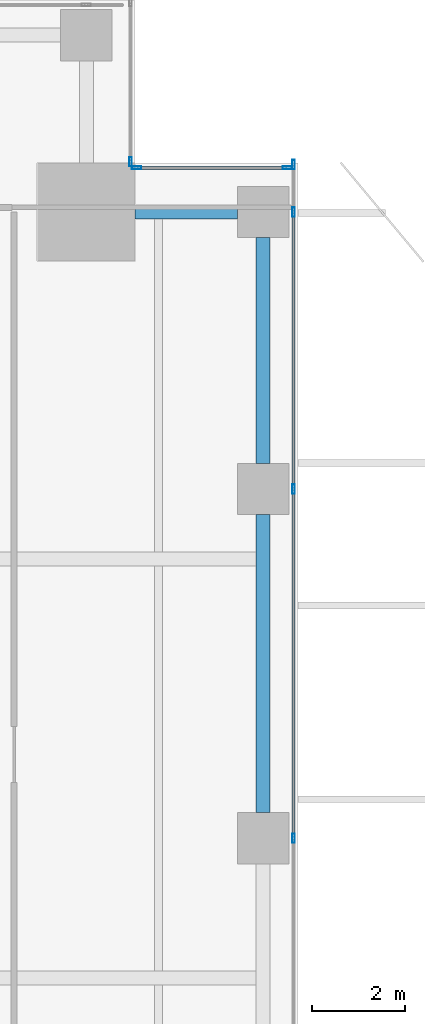
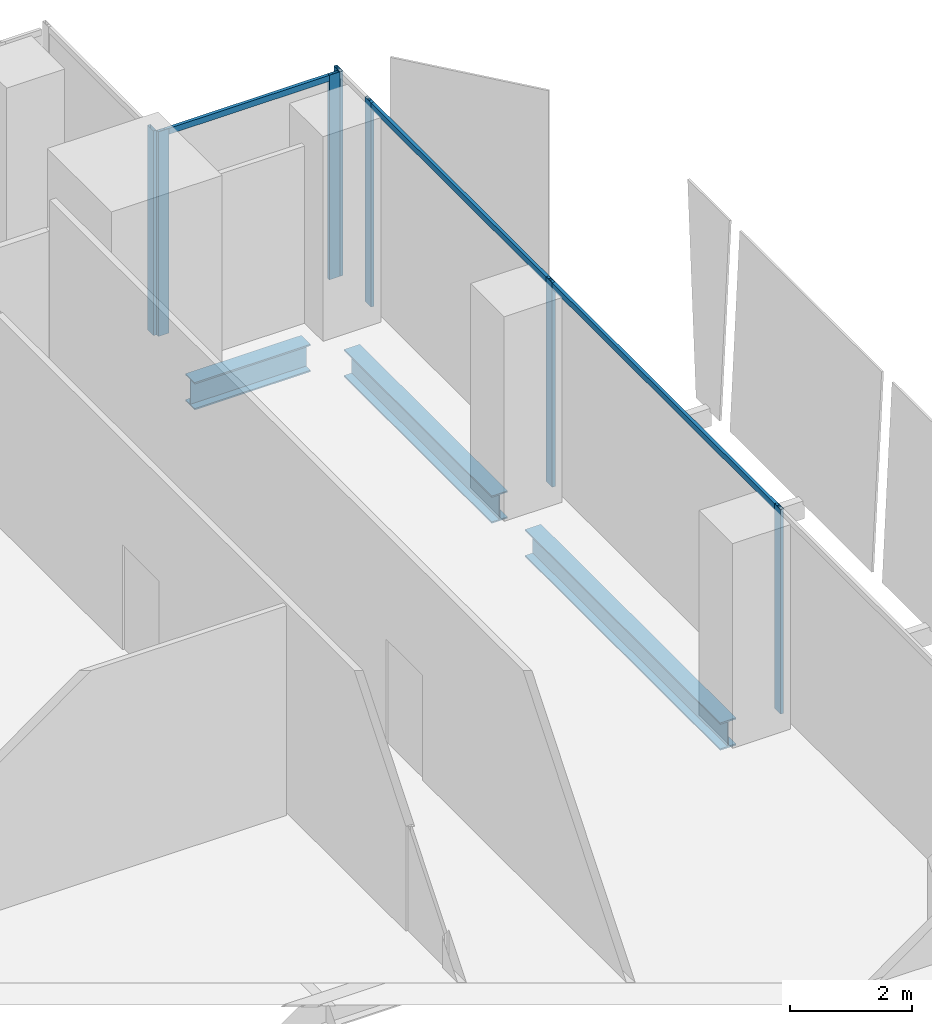
# One storey, part 19 of 33: 10 members, 3 beams, 3 elements without a shape of their own.
"""IFC4 building model written with IfcOpenShell, lengths in metres."""

from ifc_helpers import new_model, si_unit, direction, frame, origin, origin_2d, place, context, subcontext, project, spatial, hollow_rectangle, i_section, extrude, source, transform, mapped, material, material_profile, profile_set, type_object, element, aggregate, save


model = new_model("IFC4")

# Units and contexts
model_context = context("Model", 3, precision=1e-05, world=origin(), true_north=direction((0.0, 1.0)))
body_context = subcontext(model_context, "Body", "Model", "MODEL_VIEW")
ifc_project = project(units=[si_unit("LENGTHUNIT", "METRE"), si_unit("AREAUNIT", "SQUARE_METRE"), si_unit("VOLUMEUNIT", "CUBIC_METRE"), si_unit("PLANEANGLEUNIT", "RADIAN"), si_unit("MASSUNIT", "GRAM", prefix="KILO")], contexts=[model_context])

# Site, building, storey
site_placement = place(None, origin())
site = spatial("IfcSite", under=ifc_project, at=site_placement, CompositionType="ELEMENT")
building_placement = place(site_placement, origin())
building = spatial("IfcBuilding", under=site, at=building_placement, Name="Khomas Fold Tower", CompositionType="ELEMENT")
storey_placement = place(building_placement, frame((0.0, 0.0, 149.89990234375)))
storey = spatial("IfcBuildingStorey", under=building, at=storey_placement, Name="L32", CompositionType="ELEMENT", Elevation=149.89990234375)

# Beams
ifc_material_1 = material(Name="Steel S355", Category="steel")
ifc_material_profile_1 = material_profile(ifc_material_1, i_section(OverallWidth=0.300048828125, OverallDepth=0.550048828125, WebThickness=0.014892578125, FlangeThickness=0.029052734375, at=origin_2d()), Name="HE 550 B")
ifc_profile_set_1 = profile_set([ifc_material_profile_1], Name="Steel S355")
beam_type = type_object("IfcBeamType", Name="HE 550 B spandrel SB2", PredefinedType="SPANDREL", material=ifc_profile_set_1)
shared_shape_1 = source(origin(), body_context, "Body", "SweptSolid", [
    extrude(i_section(OverallWidth=0.300048828125, OverallDepth=0.550048828125, WebThickness=0.014892578125, FlangeThickness=0.029052734375, at=origin_2d()), origin(), (0.0, 0.0, 1.0), 4.849853515625),
])
beam_1_placement = place(storey_placement, frame((51.75, 42.550048828125, -0.574951171875), z_axis=(0.0, 1.0, 0.0), x_axis=(-1.0, 0.0, 0.0)))
element("IfcBeam", 1, at=beam_1_placement, inside=storey, type_object=beam_type, Name="SB2", PredefinedType="SPANDREL", context=body_context, shape_type="MappedRepresentation", body=[
    mapped(shared_shape_1, transform((0.0, 0.0, 0.0))),
])
shared_shape_2 = source(origin(), body_context, "Body", "SweptSolid", [
    extrude(i_section(OverallWidth=0.300048828125, OverallDepth=0.550048828125, WebThickness=0.014892578125, FlangeThickness=0.029052734375, at=origin_2d()), origin(), (0.0, 0.0, 1.0), 6.39990234375),
])
beam_2_placement = place(storey_placement, frame((51.75, 35.050048828125, -0.574951171875), z_axis=(0.0, 1.0, 0.0), x_axis=(-1.0, 0.0, 0.0)))
element("IfcBeam", 2, at=beam_2_placement, inside=storey, type_object=beam_type, Name="SB2", PredefinedType="SPANDREL", context=body_context, shape_type="MappedRepresentation", body=[
    mapped(shared_shape_2, transform((0.0, 0.0, 0.0))),
])
shared_shape_3 = source(origin(), body_context, "Body", "SweptSolid", [
    extrude(i_section(OverallWidth=0.300048828125, OverallDepth=0.550048828125, WebThickness=0.014892578125, FlangeThickness=0.029052734375, at=origin_2d()), origin(), (0.0, 0.0, 1.0), 2.199951171875),
])
beam_3_placement = place(storey_placement, frame((49.0, 47.949951171875, -0.574951171875), z_axis=(1.0, 0.0, 0.0), x_axis=(0.0, 1.0, 0.0)))
element("IfcBeam", 3, at=beam_3_placement, inside=storey, type_object=beam_type, Name="SB2", PredefinedType="SPANDREL", context=body_context, shape_type="MappedRepresentation", body=[
    mapped(shared_shape_3, transform((0.0, 0.0, 0.0))),
])

# Curtain wall, members
ifc_material_2 = material(Name="Aluminium framed double glazing", Category="aluminium")
curtain_wall_type = type_object("IfcCurtainWallType", Name="SK-Unitised clear-glass wall, growing floors CW1", PredefinedType="NOTDEFINED", material=ifc_material_2)
curtain_wall_1_placement = place(storey_placement, origin())
curtain_wall_1 = element("IfcCurtainWall", 4, at=curtain_wall_1_placement, inside=storey, type_object=curtain_wall_type, Name="CW1 run L32 03-0", PredefinedType="NOTDEFINED")
ifc_material_3 = material(Name="Aluminium", Category="aluminium")
ifc_material_profile_2 = material_profile(ifc_material_3, hollow_rectangle(XDim=0.06005859375, YDim=0.1201171875, WallThickness=0.00390625, at=origin_2d()), Name="SK-Unitised clear-glass wall, growing floors transom CW1-T")
ifc_profile_set_2 = profile_set([ifc_material_profile_2], Name="Aluminium")
member_type_1 = type_object("IfcMemberType", Name="SK-Unitised clear-glass wall, growing floors transom CW1-T", PredefinedType="USERDEFINED", material=ifc_profile_set_2)
shared_shape_4 = source(origin(), body_context, "Body", "SweptSolid", [
    extrude(hollow_rectangle(XDim=0.06005859375, YDim=0.1201171875, WallThickness=0.00390625, at=origin_2d()), origin(), (0.0, 0.0, 1.0), 7.43994140625),
])
member_1_placement = place(storey_placement, frame((52.39990234375, 34.530029296875, 4.0400390625), z_axis=(0.0, 1.0, 0.0), x_axis=(-1.0, 0.0, 0.0)))
member_1 = element("IfcMember", 5, at=member_1_placement, type_object=member_type_1, Name="CW1 transom 6", ObjectType="TRANSOM", PredefinedType="USERDEFINED", context=body_context, shape_type="MappedRepresentation", body=[
    mapped(shared_shape_4, transform((0.0, 0.0, 0.0))),
])
ifc_material_4 = material(Name="Aluminium", Category="aluminium")
ifc_material_profile_3 = material_profile(ifc_material_4, hollow_rectangle(XDim=0.06005859375, YDim=0.199951171875, WallThickness=0.00390625, at=origin_2d()), Name="SK-Unitised clear-glass wall, growing floors mullion CW1-M")
ifc_profile_set_3 = profile_set([ifc_material_profile_3], Name="Aluminium")
member_type_2 = type_object("IfcMemberType", Name="SK-Unitised clear-glass wall, growing floors mullion CW1-M", PredefinedType="MULLION", material=ifc_profile_set_3)
shared_shape_5 = source(origin(), body_context, "Body", "SweptSolid", [
    extrude(hollow_rectangle(XDim=0.06005859375, YDim=0.199951171875, WallThickness=0.00390625, at=origin_2d()), origin(), (0.0, 0.0, 1.0), 4.10009765625),
])
member_2_placement = place(storey_placement, frame((52.39990234375, 34.5, 0.0), z_axis=(0.0, 0.0, 1.0), x_axis=(-1.0, 0.0, 0.0)))
member_2 = element("IfcMember", 6, at=member_2_placement, type_object=member_type_2, Name="CW1 mullion 6", PredefinedType="MULLION", context=body_context, shape_type="MappedRepresentation", body=[
    mapped(shared_shape_5, transform((0.0, 0.0, 0.0))),
])
member_3_placement = place(storey_placement, frame((52.39990234375, 42.0, 0.0), z_axis=(0.0, 0.0, 1.0), x_axis=(-1.0, 0.0, 0.0)))
member_3 = element("IfcMember", 7, at=member_3_placement, type_object=member_type_2, Name="CW1 mullion 7", PredefinedType="MULLION", context=body_context, shape_type="MappedRepresentation", body=[
    mapped(shared_shape_5, transform((0.0, 0.0, 0.0))),
])
member_4_placement = place(storey_placement, frame((52.39990234375, 47.949951171875, 0.0), z_axis=(0.0, 0.0, 1.0), x_axis=(-1.0, 0.0, 0.0)))
member_4 = element("IfcMember", 8, at=member_4_placement, type_object=member_type_2, Name="CW1 mullion 8", PredefinedType="MULLION", context=body_context, shape_type="MappedRepresentation", body=[
    mapped(shared_shape_5, transform((0.0, 0.0, 0.0))),
])
member_5_placement = place(storey_placement, frame((52.39990234375, 48.969970703125, 0.0), z_axis=(0.0, 0.0, 1.0), x_axis=(-1.0, 0.0, 0.0)))
member_5 = element("IfcMember", 9, at=member_5_placement, type_object=member_type_2, Name="CW1 mullion 9", PredefinedType="MULLION", context=body_context, shape_type="MappedRepresentation", body=[
    mapped(shared_shape_5, transform((0.0, 0.0, 0.0))),
])

curtain_wall_2_placement = place(storey_placement, origin())
curtain_wall_2 = element("IfcCurtainWall", 10, at=curtain_wall_2_placement, inside=storey, type_object=curtain_wall_type, Name="CW1 corner return L32 04", PredefinedType="NOTDEFINED")
member_6_placement = place(storey_placement, frame((52.27001953125, 48.89990234375, 0.0), z_axis=(0.0, 0.0, 1.0), x_axis=(0.0, -1.0, 0.0)))
member_6 = element("IfcMember", 11, at=member_6_placement, type_object=member_type_2, Name="CW1 mullion 1", PredefinedType="MULLION", context=body_context, shape_type="MappedRepresentation", body=[
    mapped(shared_shape_5, transform((0.0, 0.0, 0.0))),
])
member_7_placement = place(storey_placement, frame((49.030029296875, 48.89990234375, 0.0), z_axis=(0.0, 0.0, 1.0), x_axis=(0.0, -1.0, 0.0)))
member_7 = element("IfcMember", 12, at=member_7_placement, type_object=member_type_2, Name="CW1 mullion 2", PredefinedType="MULLION", context=body_context, shape_type="MappedRepresentation", body=[
    mapped(shared_shape_5, transform((0.0, 0.0, 0.0))),
])

# Curtain wall, member
curtain_wall_3_placement = place(storey_placement, origin())
curtain_wall_3 = element("IfcCurtainWall", 13, at=curtain_wall_3_placement, inside=storey, type_object=curtain_wall_type, Name="CW1 corner return L32 05", PredefinedType="NOTDEFINED")
member_8_placement = place(storey_placement, frame((48.89990234375, 49.030029296875, 0.0), z_axis=(0.0, 0.0, 1.0), x_axis=(-1.0, 0.0, 0.0)))
member_8 = element("IfcMember", 14, at=member_8_placement, type_object=member_type_2, Name="CW1 mullion 1", PredefinedType="MULLION", context=body_context, shape_type="MappedRepresentation", body=[
    mapped(shared_shape_5, transform((0.0, 0.0, 0.0))),
])
aggregate(curtain_wall_3, [member_8])

# Member
shared_shape_6 = source(origin(), body_context, "Body", "SweptSolid", [
    extrude(hollow_rectangle(XDim=0.06005859375, YDim=0.1201171875, WallThickness=0.00390625, at=origin_2d()), origin(), (0.0, 0.0, 1.0), 5.889892578125),
])
member_9_placement = place(storey_placement, frame((52.39990234375, 42.030029296875, 4.0400390625), z_axis=(0.0, 1.0, 0.0), x_axis=(-1.0, 0.0, 0.0)))
member_9 = element("IfcMember", 15, at=member_9_placement, type_object=member_type_1, Name="CW1 transom 7", ObjectType="TRANSOM", PredefinedType="USERDEFINED", context=body_context, shape_type="MappedRepresentation", body=[
    mapped(shared_shape_6, transform((0.0, 0.0, 0.0))),
])

aggregate(curtain_wall_1, [member_2, member_3, member_4, member_5, member_1, member_9])

shared_shape_7 = source(origin(), body_context, "Body", "SweptSolid", [
    extrude(hollow_rectangle(XDim=0.06005859375, YDim=0.1201171875, WallThickness=0.00390625, at=origin_2d()), origin(), (0.0, 0.0, 1.0), 3.179931640625),
])
member_10_placement = place(storey_placement, frame((52.239990234375, 48.89990234375, 4.0400390625), z_axis=(-1.0, 0.0, 0.0), x_axis=(0.0, -1.0, 0.0)))
member_10 = element("IfcMember", 16, at=member_10_placement, type_object=member_type_1, Name="CW1 transom 1", ObjectType="TRANSOM", PredefinedType="USERDEFINED", context=body_context, shape_type="MappedRepresentation", body=[
    mapped(shared_shape_7, transform((0.0, 0.0, 0.0))),
])

aggregate(curtain_wall_2, [member_6, member_7, member_10])

save(model, "model.ifc")
